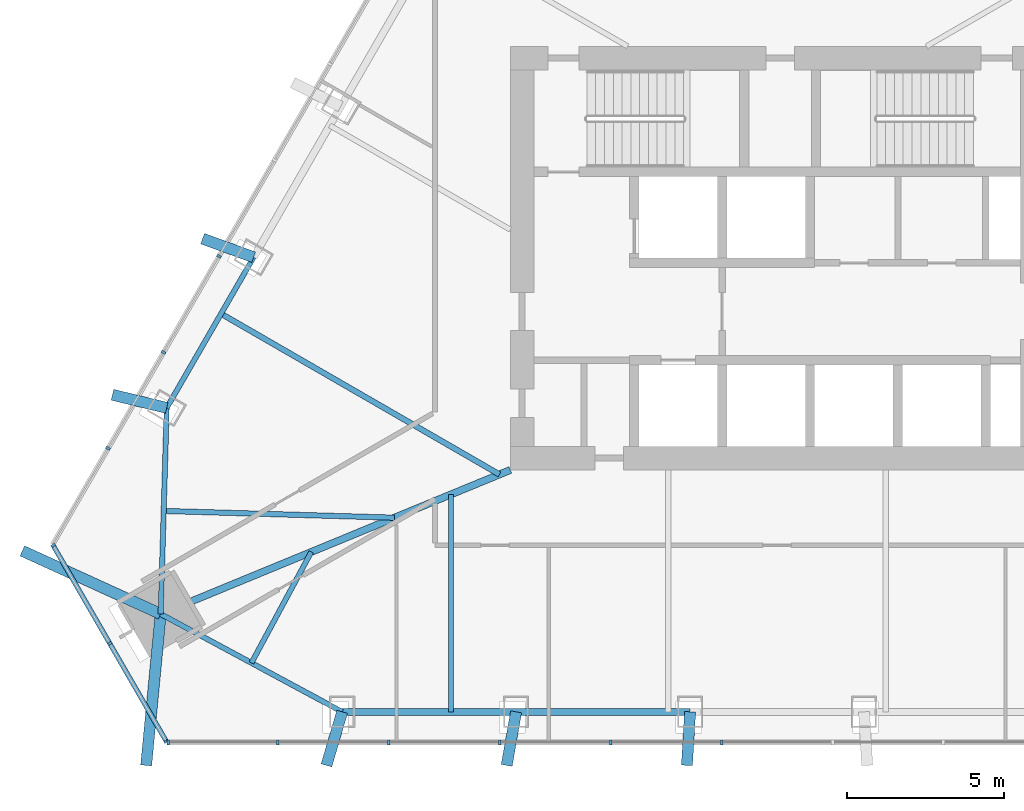
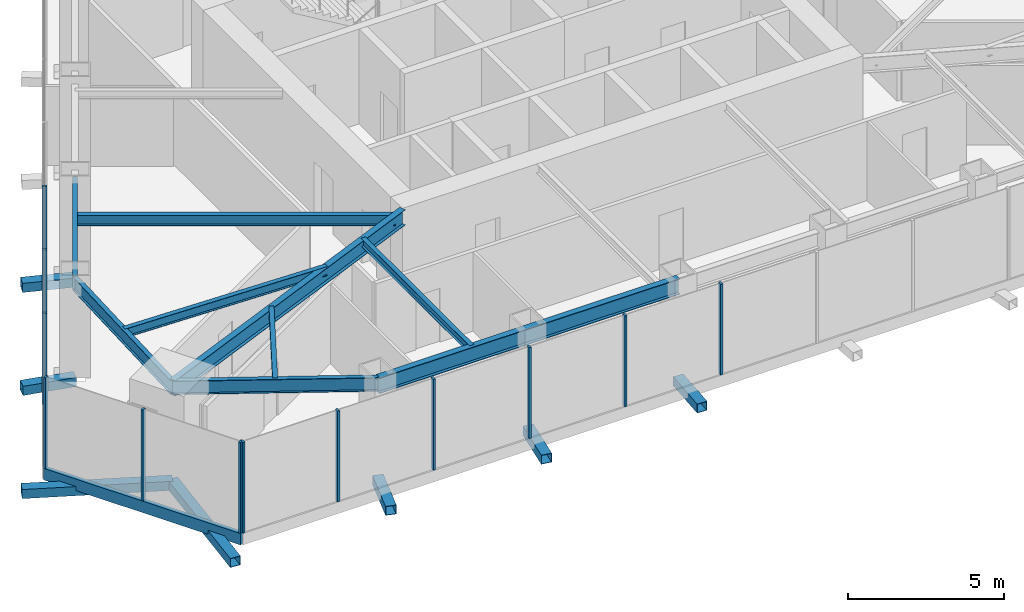
# One storey, part 2 of 14: 20 members, 9 beams, 3 elements without a shape of their own.
"""IFC4 building model written with IfcOpenShell, lengths in metres."""

from ifc_helpers import new_model, si_unit, direction, frame, origin, origin_2d, place, context, subcontext, project, spatial, rectangle, hollow_rectangle, i_section, extrude, material, layer, layer_set, material_profile, profile_set, type_object, element, aggregate, save


model = new_model("IFC4")

# Units and contexts
model_context = context("Model", 3, precision=1e-05, world=origin(), true_north=direction((0.0, 1.0)))
body_context = subcontext(model_context, "Body", "Model", "MODEL_VIEW")
ifc_project = project(units=[si_unit("LENGTHUNIT", "METRE"), si_unit("AREAUNIT", "SQUARE_METRE"), si_unit("VOLUMEUNIT", "CUBIC_METRE"), si_unit("PLANEANGLEUNIT", "RADIAN"), si_unit("MASSUNIT", "GRAM", prefix="KILO")], contexts=[model_context])

# Site, building, storey
site_placement = place(None, origin())
site = spatial("IfcSite", under=ifc_project, at=site_placement, CompositionType="ELEMENT")
building_placement = place(site_placement, origin())
building = spatial("IfcBuilding", under=site, at=building_placement, Name="Firuza Gate Tower and Library", CompositionType="ELEMENT")
storey_placement = place(building_placement, frame((0.0, 0.0, 331.60009765625)))
storey = spatial("IfcBuildingStorey", under=building, at=storey_placement, Name="L81", CompositionType="ELEMENT", Elevation=331.60009765625)

# Curtain wall, members
ifc_material_1 = material(Name="Aluminium 6063-T6", Category="aluminium")
ifc_layer = layer(ifc_material_1, 0.14990234375)
ifc_layer_set = layer_set([ifc_layer], Name="Ceramic screen wall, crown plant")
curtain_wall_type = type_object("IfcCurtainWallType", Name="Ceramic screen wall, crown plant", PredefinedType="NOTDEFINED", material=ifc_layer_set)
placement = place(storey_placement, origin())
curtain_wall_1 = element("IfcCurtainWall", 1, at=placement, inside=storey, type_object=curtain_wall_type, Name="CW6 L81 S", PredefinedType="NOTDEFINED")
ifc_material_2 = material(Name="Aluminium 6063-T6", Category="aluminium")
ifc_material_profile_1 = material_profile(ifc_material_2, rectangle(XDim=0.14990234375, YDim=0.080078125, at=origin_2d()))
ifc_profile_set_1 = profile_set([ifc_material_profile_1], Name="Aluminium 6063-T6")
member_type_1 = type_object("IfcMemberType", Name="Curtain wall mullion 80x150", PredefinedType="MULLION", material=ifc_profile_set_1)
member_1_placement = place(storey_placement, frame((55.5966796875, 59.5673828125, 0.14990234375), z_axis=(0.0, 0.0, 1.0), x_axis=(0.0, 1.0, 0.0)))
member_1 = element("IfcMember", 2, at=member_1_placement, type_object=member_type_1, Name="Mullion", PredefinedType="MULLION", context=body_context, shape_type="SweptSolid", body=[
    extrude(rectangle(XDim=0.14990234375, YDim=0.080078125, at=origin_2d()), origin(), (0.0, 0.0, 1.0), 3.550048828125),
])
member_2_placement = place(storey_placement, frame((59.091796875, 59.5673828125, 0.14990234375), z_axis=(0.0, 0.0, 1.0), x_axis=(0.0, 1.0, 0.0)))
member_2 = element("IfcMember", 3, at=member_2_placement, type_object=member_type_1, Name="Mullion", PredefinedType="MULLION", context=body_context, shape_type="SweptSolid", body=[
    extrude(rectangle(XDim=0.14990234375, YDim=0.080078125, at=origin_2d()), origin(), (0.0, 0.0, 1.0), 3.550048828125),
])
member_3_placement = place(storey_placement, frame((62.626953125, 59.5673828125, 0.14990234375), z_axis=(0.0, 0.0, 1.0), x_axis=(0.0, 1.0, 0.0)))
member_3 = element("IfcMember", 4, at=member_3_placement, type_object=member_type_1, Name="Mullion", PredefinedType="MULLION", context=body_context, shape_type="SweptSolid", body=[
    extrude(rectangle(XDim=0.14990234375, YDim=0.080078125, at=origin_2d()), origin(), (0.0, 0.0, 1.0), 3.550048828125),
])
member_4_placement = place(storey_placement, frame((66.162109375, 59.5673828125, 0.14990234375), z_axis=(0.0, 0.0, 1.0), x_axis=(0.0, 1.0, 0.0)))
member_4 = element("IfcMember", 5, at=member_4_placement, type_object=member_type_1, Name="Mullion", PredefinedType="MULLION", context=body_context, shape_type="SweptSolid", body=[
    extrude(rectangle(XDim=0.14990234375, YDim=0.080078125, at=origin_2d()), origin(), (0.0, 0.0, 1.0), 3.550048828125),
])
member_5_placement = place(storey_placement, frame((69.697265625, 59.5673828125, 0.14990234375), z_axis=(0.0, 0.0, 1.0), x_axis=(0.0, 1.0, 0.0)))
member_5 = element("IfcMember", 6, at=member_5_placement, type_object=member_type_1, Name="Mullion", PredefinedType="MULLION", context=body_context, shape_type="SweptSolid", body=[
    extrude(rectangle(XDim=0.14990234375, YDim=0.080078125, at=origin_2d()), origin(), (0.0, 0.0, 1.0), 3.550048828125),
])
member_6_placement = place(storey_placement, frame((73.232421875, 59.5673828125, 0.14990234375), z_axis=(0.0, 0.0, 1.0), x_axis=(0.0, 1.0, 0.0)))
member_6 = element("IfcMember", 7, at=member_6_placement, type_object=member_type_1, Name="Mullion", PredefinedType="MULLION", context=body_context, shape_type="SweptSolid", body=[
    extrude(rectangle(XDim=0.14990234375, YDim=0.080078125, at=origin_2d()), origin(), (0.0, 0.0, 1.0), 3.550048828125),
])
aggregate(curtain_wall_1, [member_1, member_2, member_3, member_4, member_5, member_6])

curtain_wall_2 = element("IfcCurtainWall", 8, at=placement, inside=storey, type_object=curtain_wall_type, Name="CW6 L81 W", PredefinedType="NOTDEFINED")
member_7_placement = place(storey_placement, frame((57.216064453125, 75.0625, 0.14990234375), z_axis=(0.0, 0.0, 1.0), x_axis=(0.866025403784, -0.5, 0.0)))
member_7 = element("IfcMember", 9, at=member_7_placement, type_object=member_type_1, Name="Mullion", PredefinedType="MULLION", context=body_context, shape_type="SweptSolid", body=[
    extrude(rectangle(XDim=0.14990234375, YDim=0.080078125, at=origin_2d()), origin(), (0.0, 0.0, 1.0), 3.550048828125),
])
member_8_placement = place(storey_placement, frame((55.448486328125, 72.0009765625, 0.14990234375), z_axis=(0.0, 0.0, 1.0), x_axis=(0.866025403784, -0.5, 0.0)))
member_8 = element("IfcMember", 10, at=member_8_placement, type_object=member_type_1, Name="Mullion", PredefinedType="MULLION", context=body_context, shape_type="SweptSolid", body=[
    extrude(rectangle(XDim=0.14990234375, YDim=0.080078125, at=origin_2d()), origin(), (0.0, 0.0, 1.0), 3.550048828125),
])
member_9_placement = place(storey_placement, frame((53.680908203125, 68.939453125, 0.14990234375), z_axis=(0.0, 0.0, 1.0), x_axis=(0.866025403784, -0.5, 0.0)))
member_9 = element("IfcMember", 11, at=member_9_placement, type_object=member_type_1, Name="Mullion", PredefinedType="MULLION", context=body_context, shape_type="SweptSolid", body=[
    extrude(rectangle(XDim=0.14990234375, YDim=0.080078125, at=origin_2d()), origin(), (0.0, 0.0, 1.0), 3.550048828125),
])
aggregate(curtain_wall_2, [member_7, member_8, member_9])

curtain_wall_3 = element("IfcCurtainWall", 12, at=placement, inside=storey, type_object=curtain_wall_type, Name="CW6 L81 SW", PredefinedType="NOTDEFINED")
member_10_placement = place(storey_placement, frame((51.933349609375, 65.84326171875, 0.14990234375), z_axis=(0.0, 0.0, 1.0), x_axis=(0.866025403784, 0.5, 0.0)))
member_10 = element("IfcMember", 13, at=member_10_placement, type_object=member_type_1, Name="Mullion", PredefinedType="MULLION", context=body_context, shape_type="SweptSolid", body=[
    extrude(rectangle(XDim=0.14990234375, YDim=0.080078125, at=origin_2d()), origin(), (0.0, 0.0, 1.0), 3.550048828125),
])
member_11_placement = place(storey_placement, frame((53.735107421875, 62.72265625, 0.14990234375), z_axis=(0.0, 0.0, 1.0), x_axis=(0.866025403784, 0.5, 0.0)))
member_11 = element("IfcMember", 14, at=member_11_placement, type_object=member_type_1, Name="Mullion", PredefinedType="MULLION", context=body_context, shape_type="SweptSolid", body=[
    extrude(rectangle(XDim=0.14990234375, YDim=0.080078125, at=origin_2d()), origin(), (0.0, 0.0, 1.0), 3.550048828125),
])
member_12_placement = place(storey_placement, frame((55.53662109375, 59.60205078125, 0.14990234375), z_axis=(0.0, 0.0, 1.0), x_axis=(0.866025403784, 0.5, 0.0)))
member_12 = element("IfcMember", 15, at=member_12_placement, type_object=member_type_1, Name="Mullion", PredefinedType="MULLION", context=body_context, shape_type="SweptSolid", body=[
    extrude(rectangle(XDim=0.14990234375, YDim=0.080078125, at=origin_2d()), origin(), (0.0, 0.0, 1.0), 3.550048828125),
])
ifc_material_3 = material(Name="Aluminium 6063-T6", Category="aluminium")
ifc_material_profile_2 = material_profile(ifc_material_3, rectangle(XDim=0.14990234375, YDim=0.449951171875, at=origin_2d()))
ifc_profile_set_2 = profile_set([ifc_material_profile_2], Name="Aluminium 6063-T6")
member_type_2 = type_object("IfcMemberType", Name="Curtain wall transom 450x150", PredefinedType="USERDEFINED", material=ifc_profile_set_2)
member_13_placement = place(storey_placement, frame((51.913330078125, 65.8779296875, -0.0751953125), z_axis=(0.499991211061, -0.866030478021, 0.0), x_axis=(0.866030478021, 0.499991211061, 0.0)))
member_13 = element("IfcMember", 16, at=member_13_placement, type_object=member_type_2, Name="Transom", ObjectType="TRANSOM", PredefinedType="USERDEFINED", context=body_context, shape_type="SweptSolid", body=[
    extrude(rectangle(XDim=0.14990234375, YDim=0.449951171875, at=origin_2d()), origin(), (0.0, 0.0, 1.0), 7.286865234375),
])
aggregate(curtain_wall_3, [member_10, member_11, member_12, member_13])

# Members
ifc_material_4 = material(Name="Steel S355", Category="steel")
ifc_material_profile_3 = material_profile(ifc_material_4, hollow_rectangle(XDim=0.355712890625, YDim=0.355712890625, WallThickness=0.014892578125, at=origin_2d()))
ifc_profile_set_3 = profile_set([ifc_material_profile_3], Name="Steel S355")
member_type_3 = type_object("IfcMemberType", Name="HSS356x356x16 Lattice node tie", PredefinedType="BRACE", material=ifc_profile_set_3)
member_14_placement = place(storey_placement, frame((55.35888671875, 63.66015625, -0.320068359375), z_axis=(-0.095512746981, -0.995428206936, 0.0), x_axis=(0.995428206936, -0.095512746981, 0.0)))
element("IfcMember", 17, at=member_14_placement, inside=storey, type_object=member_type_3, Name="Lattice node tie S L81 609", PredefinedType="BRACE", context=body_context, shape_type="SweptSolid", body=[
    extrude(hollow_rectangle(XDim=0.355712890625, YDim=0.355712890625, WallThickness=0.014892578125, at=origin_2d()), origin(), (0.0, 0.0, 1.0), 4.846435546875),
])
member_15_placement = place(storey_placement, frame((61.142822265625, 60.54248046875, -0.320068359375), z_axis=(-0.282686344294, -0.95921240127, 0.0), x_axis=(0.95921240127, -0.282686344294, 0.0)))
element("IfcMember", 18, at=member_15_placement, inside=storey, type_object=member_type_3, Name="Lattice node tie S L81 610", PredefinedType="BRACE", context=body_context, shape_type="SweptSolid", body=[
    extrude(hollow_rectangle(XDim=0.355712890625, YDim=0.355712890625, WallThickness=0.014892578125, at=origin_2d()), origin(), (0.0, 0.0, 1.0), 1.779052734375),
])
member_16_placement = place(storey_placement, frame((66.685791015625, 60.54248046875, -0.320068359375), z_axis=(-0.174122859054, -0.98472393591, 0.0), x_axis=(0.98472393591, -0.174122859054, 0.0)))
element("IfcMember", 19, at=member_16_placement, inside=storey, type_object=member_type_3, Name="Lattice node tie S L81 611", PredefinedType="BRACE", context=body_context, shape_type="SweptSolid", body=[
    extrude(hollow_rectangle(XDim=0.355712890625, YDim=0.355712890625, WallThickness=0.014892578125, at=origin_2d()), origin(), (0.0, 0.0, 1.0), 1.73291015625),
])
member_17_placement = place(storey_placement, frame((72.228515625, 60.54248046875, -0.320068359375), z_axis=(-0.058839227239, -0.998267471842, 0.0), x_axis=(0.998267471842, -0.058839227239, 0.0)))
element("IfcMember", 20, at=member_17_placement, inside=storey, type_object=member_type_3, Name="Lattice node tie S L81 612", PredefinedType="BRACE", context=body_context, shape_type="SweptSolid", body=[
    extrude(hollow_rectangle(XDim=0.355712890625, YDim=0.355712890625, WallThickness=0.014892578125, at=origin_2d()), origin(), (0.0, 0.0, 1.0), 1.70947265625),
])
member_18_placement = place(storey_placement, frame((55.35888671875, 63.66015625, -0.320068359375), z_axis=(-0.909817046019, 0.415009569496, 0.0), x_axis=(-0.415009569496, -0.909817046019, 0.0)))
element("IfcMember", 21, at=member_18_placement, inside=storey, type_object=member_type_3, Name="Lattice node tie W L81 617", PredefinedType="BRACE", context=body_context, shape_type="SweptSolid", body=[
    extrude(hollow_rectangle(XDim=0.355712890625, YDim=0.355712890625, WallThickness=0.014892578125, at=origin_2d()), origin(), (0.0, 0.0, 1.0), 4.84619140625),
])
member_19_placement = place(storey_placement, frame((55.55078125, 70.22802734375, -0.320068359375), z_axis=(-0.972041177179, 0.234810455196, 0.0), x_axis=(-0.234810455196, -0.972041177179, 0.0)))
element("IfcMember", 22, at=member_19_placement, inside=storey, type_object=member_type_3, Name="Lattice node tie W L81 618", PredefinedType="BRACE", context=body_context, shape_type="SweptSolid", body=[
    extrude(hollow_rectangle(XDim=0.355712890625, YDim=0.355712890625, WallThickness=0.014892578125, at=origin_2d()), origin(), (0.0, 0.0, 1.0), 1.779052734375),
])
member_20_placement = place(storey_placement, frame((58.322265625, 75.0283203125, -0.320068359375), z_axis=(-0.939830438322, 0.341641255124, 0.0), x_axis=(-0.341641255124, -0.939830438322, 0.0)))
element("IfcMember", 23, at=member_20_placement, inside=storey, type_object=member_type_3, Name="Lattice node tie W L81 619", PredefinedType="BRACE", context=body_context, shape_type="SweptSolid", body=[
    extrude(hollow_rectangle(XDim=0.355712890625, YDim=0.355712890625, WallThickness=0.014892578125, at=origin_2d()), origin(), (0.0, 0.0, 1.0), 1.73291015625),
])

# Beams
ifc_material_5 = material(Name="Steel S355", Category="steel")
ifc_material_profile_4 = material_profile(ifc_material_5, i_section(OverallWidth=0.1650390625, OverallDepth=0.31005859375, WebThickness=0.005859375, FlangeThickness=0.009765625, at=origin_2d()))
ifc_profile_set_4 = profile_set([ifc_material_profile_4], Name="Steel S355")
beam_type_1 = type_object("IfcBeamType", Name="W310x39 Floor beam", PredefinedType="JOIST", material=ifc_profile_set_4)
beam_1_placement = place(storey_placement, frame((58.250732421875, 62.101318359375, 3.544921875), z_axis=(0.474502137852, 0.880254350273, 0.0), x_axis=(-0.880254350273, 0.474502137852, 0.0)))
element("IfcBeam", 24, at=beam_1_placement, inside=storey, type_object=beam_type_1, Name="Floor beam L81 s10", PredefinedType="JOIST", context=body_context, shape_type="SweptSolid", body=[
    extrude(i_section(OverallWidth=0.1650390625, OverallDepth=0.31005859375, WebThickness=0.005859375, FlangeThickness=0.009765625, at=origin_2d()), origin(), (0.0, 0.0, 1.0), 4.016357421875),
])
beam_2_placement = place(storey_placement, frame((64.607177734375, 60.54248046875, 3.544921875), z_axis=(0.0, 1.0, 0.0), x_axis=(-1.0, 0.0, 0.0)))
element("IfcBeam", 25, at=beam_2_placement, inside=storey, type_object=beam_type_1, Name="Floor beam L81 s20", PredefinedType="JOIST", context=body_context, shape_type="SweptSolid", body=[
    extrude(i_section(OverallWidth=0.1650390625, OverallDepth=0.31005859375, WebThickness=0.005859375, FlangeThickness=0.009765625, at=origin_2d()), origin(), (0.0, 0.0, 1.0), 6.927734375),
])
ifc_material_6 = material(Name="Steel S355", Category="steel")
ifc_material_profile_5 = material_profile(ifc_material_6, i_section(OverallWidth=0.1708984375, OverallDepth=0.35498046875, WebThickness=0.007080078125, FlangeThickness=0.01171875, at=origin_2d()))
ifc_profile_set_5 = profile_set([ifc_material_profile_5], Name="Steel S355")
beam_type_2 = type_object("IfcBeamType", Name="W360x51 Floor beam", PredefinedType="JOIST", material=ifc_profile_set_5)
beam_3_placement = place(storey_placement, frame((55.454833984375, 66.944091796875, 3.5224609375), z_axis=(0.999573472059, -0.029204005824, 0.0), x_axis=(0.029204005824, 0.999573472059, 0.0)))
element("IfcBeam", 26, at=beam_3_placement, inside=storey, type_object=beam_type_2, Name="Floor beam L81 s00", PredefinedType="JOIST", context=body_context, shape_type="SweptSolid", body=[
    extrude(i_section(OverallWidth=0.1708984375, OverallDepth=0.35498046875, WebThickness=0.007080078125, FlangeThickness=0.01171875, at=origin_2d()), origin(), (0.0, 0.0, 1.0), 7.356689453125),
])
ifc_material_7 = material(Name="Steel S355", Category="steel")
ifc_material_profile_6 = material_profile(ifc_material_7, i_section(OverallWidth=0.177978515625, OverallDepth=0.406982421875, WebThickness=0.0078125, FlangeThickness=0.0126953125, at=origin_2d()))
ifc_profile_set_6 = profile_set([ifc_material_profile_6], Name="Steel S355")
beam_type_3 = type_object("IfcBeamType", Name="W410x60 Floor beam", PredefinedType="JOIST", material=ifc_profile_set_6)
beam_4_placement = place(storey_placement, frame((57.282958984375, 73.228271484375, 3.496337890625), z_axis=(0.866028396804, -0.499994815902, 0.0), x_axis=(0.499994815902, 0.866028396804, 0.0)))
element("IfcBeam", 27, at=beam_4_placement, inside=storey, type_object=beam_type_3, Name="Floor beam L81 s83", PredefinedType="JOIST", context=body_context, shape_type="SweptSolid", body=[
    extrude(i_section(OverallWidth=0.177978515625, OverallDepth=0.406982421875, WebThickness=0.0078125, FlangeThickness=0.0126953125, at=origin_2d()), origin(), (0.0, 0.0, 1.0), 10.2421875),
])
ifc_material_8 = material(Name="Steel S355", Category="steel")
ifc_material_profile_7 = material_profile(ifc_material_8, i_section(OverallWidth=0.166015625, OverallDepth=0.534912109375, WebThickness=0.01025390625, FlangeThickness=0.0166015625, at=origin_2d()))
ifc_profile_set_7 = profile_set([ifc_material_profile_7], Name="Steel S355")
beam_type_4 = type_object("IfcBeamType", Name="W530x85 Edge beam", PredefinedType="SPANDREL", material=ifc_profile_set_7)
for number, where, z_axis, x_axis, name in (
    (28, (55.55078125, 70.22802734375, 3.432373046875), (-0.029204696052, -0.999573451893, 0.0), (0.999573451893, -0.029204696052, 0.0), "Edge beam L81 e00"),
    (29, (55.35888671875, 63.66015625, 3.432373046875), (0.880264612771, -0.474483099282, 0.0), (0.474483099282, 0.880264612771, 0.0), "Edge beam L81 e10"),
):
    element("IfcBeam", number, at=place(storey_placement, frame(where, z_axis=z_axis, x_axis=x_axis)), inside=storey, type_object=beam_type_4, Name=name, PredefinedType="SPANDREL", context=body_context, shape_type="SweptSolid", body=[
        extrude(i_section(OverallWidth=0.166015625, OverallDepth=0.534912109375, WebThickness=0.01025390625, FlangeThickness=0.0166015625, at=origin_2d()), origin(), (0.0, 0.0, 1.0), 6.570556640625),
    ])
beam_5_placement = place(storey_placement, frame((58.322265625, 75.0283203125, 3.432373046875), z_axis=(-0.500004591975, -0.86602275259, 0.0), x_axis=(0.86602275259, -0.500004591975, 0.0)))
element("IfcBeam", 30, at=beam_5_placement, inside=storey, type_object=beam_type_4, Name="Edge beam L81 e84", PredefinedType="SPANDREL", context=body_context, shape_type="SweptSolid", body=[
    extrude(i_section(OverallWidth=0.166015625, OverallDepth=0.534912109375, WebThickness=0.01025390625, FlangeThickness=0.0166015625, at=origin_2d()), origin(), (0.0, 0.0, 1.0), 5.54296875),
])
ifc_material_9 = material(Name="Steel S355", Category="steel")
ifc_material_profile_8 = material_profile(ifc_material_9, i_section(OverallWidth=0.22802734375, OverallDepth=0.60302734375, WebThickness=0.010498046875, FlangeThickness=0.014892578125, at=origin_2d()))
ifc_profile_set_8 = profile_set([ifc_material_profile_8], Name="Steel S355")
beam_type_5 = type_object("IfcBeamType", Name="W610x101 Girder", PredefinedType="BEAM", material=ifc_profile_set_8)
beam_6_placement = place(storey_placement, frame((55.35888671875, 63.66015625, 3.3984375), z_axis=(0.92461010604, 0.380914887881, 0.0), x_axis=(-0.380914887881, 0.92461010604, 0.0)))
element("IfcBeam", 31, at=beam_6_placement, inside=storey, type_object=beam_type_5, Name="Girder L81 gSW", PredefinedType="BEAM", context=body_context, shape_type="SweptSolid", body=[
    extrude(i_section(OverallWidth=0.22802734375, OverallDepth=0.60302734375, WebThickness=0.010498046875, FlangeThickness=0.014892578125, at=origin_2d()), origin(), (0.0, 0.0, 1.0), 12.049560546875),
])
ifc_material_10 = material(Name="Steel S355", Category="steel")
ifc_material_profile_9 = material_profile(ifc_material_10, i_section(OverallWidth=0.22900390625, OverallDepth=0.612060546875, WebThickness=0.011962890625, FlangeThickness=0.01953125, at=origin_2d()))
ifc_profile_set_9 = profile_set([ifc_material_profile_9], Name="Steel S355")
beam_type_6 = type_object("IfcBeamType", Name="W610x125 Edge beam", PredefinedType="SPANDREL", material=ifc_profile_set_9)
beam_7_placement = place(storey_placement, frame((61.142822265625, 60.54248046875, 3.393798828125), z_axis=(1.0, 0.0, 0.0), x_axis=(0.0, 1.0, 0.0)))
element("IfcBeam", 32, at=beam_7_placement, inside=storey, type_object=beam_type_6, Name="Edge beam L81 e20", PredefinedType="SPANDREL", context=body_context, shape_type="SweptSolid", body=[
    extrude(i_section(OverallWidth=0.22900390625, OverallDepth=0.612060546875, WebThickness=0.011962890625, FlangeThickness=0.01953125, at=origin_2d()), origin(), (0.0, 0.0, 1.0), 11.085693359375),
])

save(model, "model.ifc")
